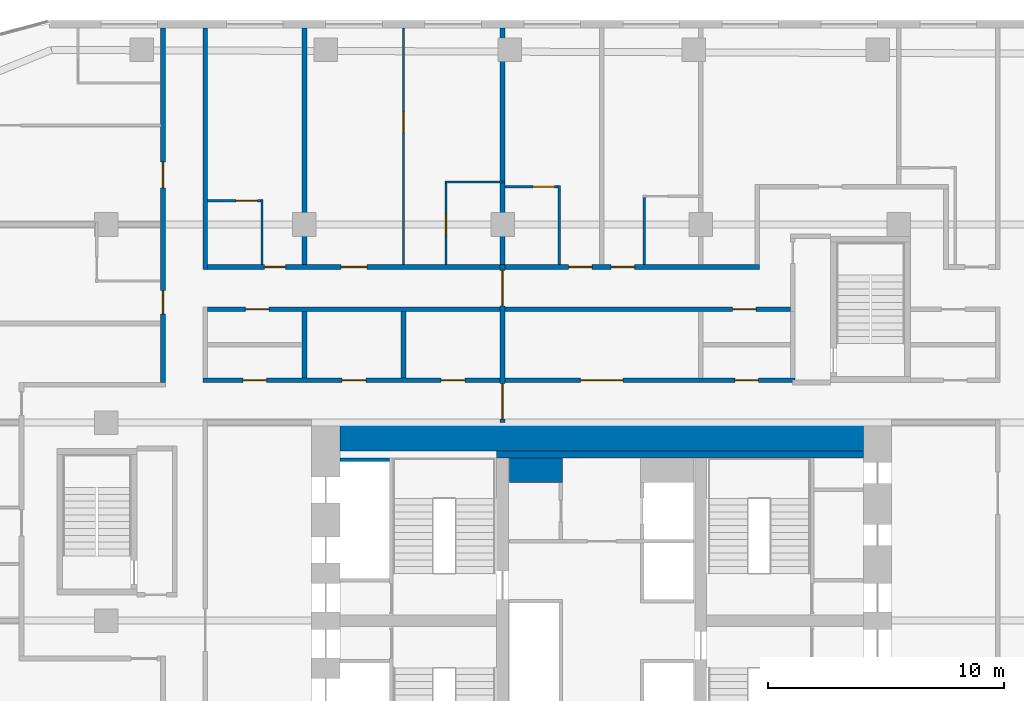
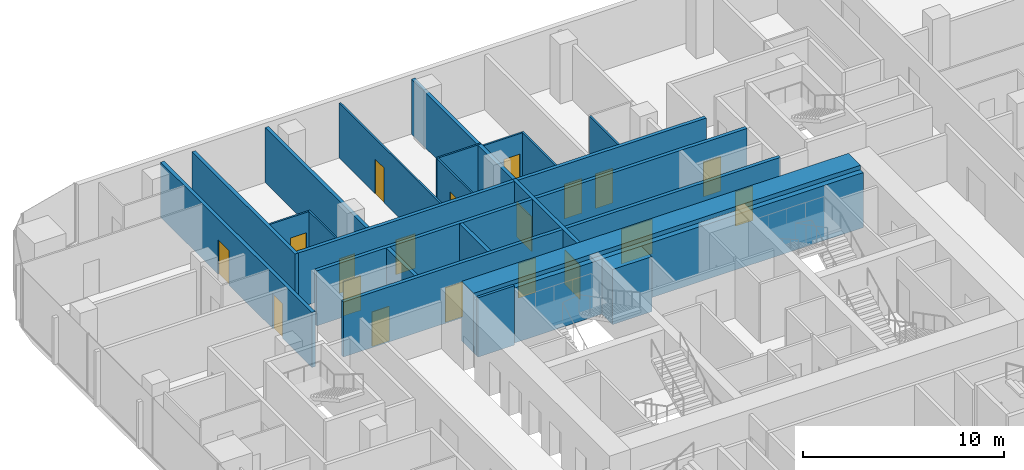
# One storey, part 21 of 26: 22 walls, 19 doors, 19 openings.
"""IFC4 building model written with IfcOpenShell, lengths in metres."""

from ifc_helpers import new_model, si_unit, direction, frame, frame_2d, origin, place, context, subcontext, project, spatial, rectangle, extrude, material, layer, layer_set, type_object, element, fill, save


model = new_model("IFC4")

# Units and contexts
model_context = context("Model", 3, precision=1e-05, world=origin(), true_north=direction((0.0, 1.0)))
body_context = subcontext(model_context, "Body", "Model", "MODEL_VIEW")
ifc_project = project(units=[si_unit("LENGTHUNIT", "METRE"), si_unit("AREAUNIT", "SQUARE_METRE"), si_unit("VOLUMEUNIT", "CUBIC_METRE"), si_unit("PLANEANGLEUNIT", "RADIAN"), si_unit("MASSUNIT", "GRAM", prefix="KILO")], contexts=[model_context])

# Site, building, storey
site_placement = place(None, origin())
site = spatial("IfcSite", under=ifc_project, at=site_placement, CompositionType="ELEMENT")
building_placement = place(site_placement, origin())
building = spatial("IfcBuilding", under=site, at=building_placement, Name="Marenta Gate Hotel Tower", CompositionType="ELEMENT")
storey_placement = place(building_placement, frame((0.0, 0.0, 72.5)))
storey = spatial("IfcBuildingStorey", under=building, at=storey_placement, Name="L16", CompositionType="ELEMENT", Elevation=72.5)

# Wall, openings, doors
ifc_material_1 = material(Name="Concrete blockwork", Category="masonry")
ifc_layer_1 = layer(ifc_material_1, 0.199951171875)
ifc_layer_set_1 = layer_set([ifc_layer_1], Name="Concrete blockwork")
wall_type_1 = type_object("IfcWallType", Name="Compartment wall 200 REI 180", PredefinedType="PARTITIONING", material=ifc_layer_set_1)
wall_1_placement = place(storey_placement, frame((-4.199951171875, 16.800048828125, 0.0), z_axis=(0.0, 0.0, 1.0), x_axis=(0.0, 1.0, 0.0)))
wall_1 = element("IfcWall", 1, at=wall_1_placement, inside=storey, type_object=wall_type_1, Name="L16-PTN-W076", PredefinedType="PARTITIONING", context=body_context, shape_type="SweptSolid", body=[
    extrude(rectangle(XDim=6.699951171875, YDim=0.199951171875, at=frame_2d((3.35009765625, 0.0))), origin(), (0.0, 0.0, 1.0), 3.340087890625),
])
opening_1_placement = place(wall_1_placement, frame((0.14990234375, 0.0, 0.0)))
opening_1 = element("IfcOpeningElement", 2, at=opening_1_placement, cuts=wall_1, Name="Opening G06-FD1", PredefinedType="OPENING", context=body_context, shape_type="SweptSolid", body=[
    extrude(rectangle(XDim=1.5, YDim=2.10009765625, at=frame_2d((0.75, 1.050048828125))), frame((0.0, 0.10009765625, 0.0), z_axis=(0.0, -1.0, 0.0), x_axis=(1.0, 0.0, 0.0)), (0.0, 0.0, 1.0), 0.199951171875),
])
opening_2_placement = place(wall_1_placement, frame((4.949951171875, 0.0, 0.0)))
opening_2 = element("IfcOpeningElement", 3, at=opening_2_placement, cuts=wall_1, Name="Opening G06-FD2", PredefinedType="OPENING", context=body_context, shape_type="SweptSolid", body=[
    extrude(rectangle(XDim=1.5, YDim=2.10009765625, at=frame_2d((0.75, 1.050048828125))), frame((0.0, 0.10009765625, 0.0), z_axis=(0.0, -1.0, 0.0), x_axis=(1.0, 0.0, 0.0)), (0.0, 0.0, 1.0), 0.199951171875),
])
ifc_material_2 = material(Name="Hollow steel door set", Category="steel")
door_type_1 = type_object("IfcDoorType", Name="Compartment fire door 1500x2100 EI 60", OperationType="DOUBLE_DOOR_DOUBLE_SWING", PredefinedType="DOOR", material=ifc_material_2)
door_1_placement = place(opening_1_placement, origin())
door_1 = element("IfcDoor", 4, at=door_1_placement, inside=storey, type_object=door_type_1, Name="L16-PD-FD01", OperationType="DOUBLE_DOOR_DOUBLE_SWING", OverallHeight=2.10009765625, OverallWidth=1.5, PredefinedType="DOOR", context=body_context, shape_type="SweptSolid", body=[
    extrude(rectangle(XDim=1.5, YDim=2.10009765625, at=frame_2d((0.75, 1.050048828125))), frame((0.0, 0.02490234375, 0.0), z_axis=(0.0, -1.0, 0.0), x_axis=(1.0, 0.0, 0.0)), (0.0, 0.0, 1.0), 0.050048828125),
])
fill(opening_1, door_1)
door_2_placement = place(opening_2_placement, origin())
door_2 = element("IfcDoor", 5, at=door_2_placement, inside=storey, type_object=door_type_1, Name="L16-PD-FD02", OperationType="DOUBLE_DOOR_DOUBLE_SWING", OverallHeight=2.10009765625, OverallWidth=1.5, PredefinedType="DOOR", context=body_context, shape_type="SweptSolid", body=[
    extrude(rectangle(XDim=1.5, YDim=2.10009765625, at=frame_2d((0.75, 1.050048828125))), frame((0.0, 0.02490234375, 0.0), z_axis=(0.0, -1.0, 0.0), x_axis=(1.0, 0.0, 0.0)), (0.0, 0.0, 1.0), 0.050048828125),
])
fill(opening_2, door_2)

# Walls
wall_2_placement = place(storey_placement, frame((-4.199951171875, 23.5, 0.0), z_axis=(0.0, 0.0, 1.0), x_axis=(0.0, 1.0, 0.0)))
element("IfcWall", 6, at=wall_2_placement, inside=storey, type_object=wall_type_1, Name="L16-PTN-W077", PredefinedType="PARTITIONING", context=body_context, shape_type="SweptSolid", body=[
    extrude(rectangle(XDim=10.0400390625, YDim=0.199951171875, at=frame_2d((5.02001953125, 0.0))), origin(), (0.0, 0.0, 1.0), 3.340087890625),
])
ifc_material_3 = material(Name="Concrete C40", Category="concrete")
ifc_layer_2 = layer(ifc_material_3, 0.300048828125)
ifc_layer_set_2 = layer_set([ifc_layer_2], Name="Concrete C40")
wall_type_2 = type_object("IfcWallType", Name="Core lining wall 300 REI 180", PredefinedType="PARTITIONING", material=ifc_layer_set_2)
wall_3_placement = place(storey_placement, frame((-11.10009765625, 15.449951171875, 0.0), z_axis=(0.0, 0.0, 1.0), x_axis=(1.0, 0.0, 0.0)))
element("IfcWall", 7, at=wall_3_placement, inside=storey, type_object=wall_type_2, Name="L16-CP-LN-N", PredefinedType="PARTITIONING", context=body_context, shape_type="SweptSolid", body=[
    extrude(rectangle(XDim=22.2001953125, YDim=0.300048828125, at=frame_2d((11.10009765625, 0.0))), origin(), (0.0, 0.0, 1.0), 3.340087890625),
])
ifc_material_4 = material(Name="Concrete blockwork", Category="masonry")
ifc_layer_3 = layer(ifc_material_4, 1.050048828125)
ifc_layer_set_3 = layer_set([ifc_layer_3], Name="Concrete blockwork")
wall_type_3 = type_object("IfcWallType", Name="Core room partition 1050 REI 180", PredefinedType="PARTITIONING", material=ifc_layer_set_3)
wall_4_placement = place(storey_placement, frame((-3.89990234375, 14.77490234375, 0.0), z_axis=(0.0, 0.0, 1.0), x_axis=(1.0, 0.0, 0.0)))
element("IfcWall", 8, at=wall_4_placement, inside=storey, type_object=wall_type_3, Name="L16-CP-CW-W-riser-N", PredefinedType="PARTITIONING", context=body_context, shape_type="SweptSolid", body=[
    extrude(rectangle(XDim=2.25, YDim=1.050048828125, at=frame_2d((1.125, 0.0))), origin(), (0.0, 0.0, 1.0), 3.340087890625),
])
ifc_material_5 = material(Name="Concrete C40", Category="concrete")
ifc_layer_4 = layer(ifc_material_5, 0.14990234375)
ifc_layer_set_4 = layer_set([ifc_layer_4], Name="Concrete C40")
wall_type_4 = type_object("IfcWallType", Name="Core shaft wall 150 REI 180", PredefinedType="SHEAR", material=ifc_layer_set_4)
wall_5_placement = place(storey_placement, frame((-11.10009765625, 15.22509765625, 0.0), z_axis=(0.0, 0.0, 1.0), x_axis=(1.0, 0.0, 0.0)))
element("IfcWall", 9, at=wall_5_placement, inside=storey, type_object=wall_type_4, Name="L16-SHF-SW-WN-5", PredefinedType="SHEAR", context=body_context, shape_type="SweptSolid", body=[
    extrude(rectangle(XDim=2.10009765625, YDim=0.14990234375, at=frame_2d((1.050048828125, 0.0))), origin(), (0.0, 0.0, 1.0), 3.60009765625),
])
ifc_material_6 = material(Name="Concrete C80", Category="concrete")
ifc_layer_5 = layer(ifc_material_6, 1.199951171875)
ifc_layer_set_5 = layer_set([ifc_layer_5], Name="Concrete C80")
wall_type_5 = type_object("IfcWallType", Name="Core wall 1200 C80", PredefinedType="SHEAR", material=ifc_layer_set_5)
wall_6_placement = place(storey_placement, frame((-11.10009765625, 16.199951171875, 0.0), z_axis=(0.0, 0.0, 1.0), x_axis=(1.0, 0.0, 0.0)))
element("IfcWall", 10, at=wall_6_placement, inside=storey, type_object=wall_type_5, Name="L16-CORE-N", PredefinedType="SHEAR", context=body_context, shape_type="SweptSolid", body=[
    extrude(rectangle(XDim=22.2001953125, YDim=1.199951171875, at=frame_2d((11.10009765625, 0.0))), origin(), (0.0, 0.0, 1.0), 3.60009765625),
])

# Wall, openings, doors
ifc_material_7 = material(Name="Concrete blockwork", Category="masonry")
ifc_layer_6 = layer(ifc_material_7, 0.199951171875)
ifc_layer_set_6 = layer_set([ifc_layer_6], Name="Concrete blockwork")
wall_type_6 = type_object("IfcWallType", Name="Room corridor wall 200 EI 120", PredefinedType="PARTITIONING", material=ifc_layer_set_6)
wall_7_placement = place(storey_placement, frame((-16.699951171875, 23.39990234375, 0.0), z_axis=(0.0, 0.0, 1.0), x_axis=(1.0, 0.0, 0.0)))
wall_7 = element("IfcWall", 11, at=wall_7_placement, inside=storey, type_object=wall_type_6, Name="L16-PTN-W132", PredefinedType="PARTITIONING", context=body_context, shape_type="SweptSolid", body=[
    extrude(rectangle(XDim=23.39990234375, YDim=0.199951171875, at=frame_2d((11.699951171875, 0.0))), origin(), (0.0, 0.0, 1.0), 3.340087890625),
])
opening_3_placement = place(wall_7_placement, frame((2.39990234375, 0.0, 0.0)))
opening_3 = element("IfcOpeningElement", 12, at=opening_3_placement, cuts=wall_7, Name="Opening G06-21", PredefinedType="OPENING", context=body_context, shape_type="SweptSolid", body=[
    extrude(rectangle(XDim=0.89990234375, YDim=2.10009765625, at=frame_2d((0.449951171875, 1.050048828125))), frame((0.0, 0.10009765625, 0.0), z_axis=(0.0, -1.0, 0.0), x_axis=(1.0, 0.0, 0.0)), (0.0, 0.0, 1.0), 0.199951171875),
])
opening_4_placement = place(wall_7_placement, frame((5.64990234375, 0.0, 0.0)))
opening_4 = element("IfcOpeningElement", 13, at=opening_4_placement, cuts=wall_7, Name="Opening G06-23", PredefinedType="OPENING", context=body_context, shape_type="SweptSolid", body=[
    extrude(rectangle(XDim=1.10009765625, YDim=2.10009765625, at=frame_2d((0.550048828125, 1.050048828125))), frame((0.0, 0.10009765625, 0.0), z_axis=(0.0, -1.0, 0.0), x_axis=(1.0, 0.0, 0.0)), (0.0, 0.0, 1.0), 0.199951171875),
])
opening_5_placement = place(wall_7_placement, frame((15.300048828125, 0.0, 0.0)))
opening_5 = element("IfcOpeningElement", 14, at=opening_5_placement, cuts=wall_7, Name="Opening G06-26", PredefinedType="OPENING", context=body_context, shape_type="SweptSolid", body=[
    extrude(rectangle(XDim=1.0, YDim=2.10009765625, at=frame_2d((0.5, 1.050048828125))), frame((0.0, 0.10009765625, 0.0), z_axis=(0.0, -1.0, 0.0), x_axis=(1.0, 0.0, 0.0)), (0.0, 0.0, 1.0), 0.199951171875),
])
opening_6_placement = place(wall_7_placement, frame((17.10009765625, 0.0, 0.0)))
opening_6 = element("IfcOpeningElement", 15, at=opening_6_placement, cuts=wall_7, Name="Opening G06-28", PredefinedType="OPENING", context=body_context, shape_type="SweptSolid", body=[
    extrude(rectangle(XDim=1.0, YDim=2.10009765625, at=frame_2d((0.5, 1.050048828125))), frame((0.0, 0.10009765625, 0.0), z_axis=(0.0, -1.0, 0.0), x_axis=(1.0, 0.0, 0.0)), (0.0, 0.0, 1.0), 0.199951171875),
])
ifc_material_8 = material(Name="Timber door leaf", Category="wood")
door_type_2 = type_object("IfcDoorType", Name="Guest room door 1000x2100 EI 60", OperationType="NOTDEFINED", PredefinedType="DOOR", material=ifc_material_8)
door_3_placement = place(opening_5_placement, origin())
door_3 = element("IfcDoor", 16, at=door_3_placement, inside=storey, type_object=door_type_2, Name="L16-PD-D026", OperationType="SINGLE_SWING_LEFT", OverallHeight=2.10009765625, OverallWidth=1.0, PredefinedType="DOOR", context=body_context, shape_type="SweptSolid", body=[
    extrude(rectangle(XDim=1.0, YDim=2.10009765625, at=frame_2d((0.5, 1.050048828125))), frame((0.0, 0.02490234375, 0.0), z_axis=(0.0, -1.0, 0.0), x_axis=(1.0, 0.0, 0.0)), (0.0, 0.0, 1.0), 0.050048828125),
])
fill(opening_5, door_3)
door_4_placement = place(opening_6_placement, origin())
door_4 = element("IfcDoor", 17, at=door_4_placement, inside=storey, type_object=door_type_2, Name="L16-PD-D028", OperationType="SINGLE_SWING_LEFT", OverallHeight=2.10009765625, OverallWidth=1.0, PredefinedType="DOOR", context=body_context, shape_type="SweptSolid", body=[
    extrude(rectangle(XDim=1.0, YDim=2.10009765625, at=frame_2d((0.5, 1.050048828125))), frame((0.0, 0.02490234375, 0.0), z_axis=(0.0, -1.0, 0.0), x_axis=(1.0, 0.0, 0.0)), (0.0, 0.0, 1.0), 0.050048828125),
])
fill(opening_6, door_4)
ifc_material_9 = material(Name="Timber door leaf", Category="wood")
door_type_3 = type_object("IfcDoorType", Name="Guest room door 1100x2100 EI 60", OperationType="NOTDEFINED", PredefinedType="DOOR", material=ifc_material_9)
door_5_placement = place(opening_4_placement, origin())
door_5 = element("IfcDoor", 18, at=door_5_placement, inside=storey, type_object=door_type_3, Name="L16-PD-D023", OperationType="SINGLE_SWING_RIGHT", OverallHeight=2.10009765625, OverallWidth=1.10009765625, PredefinedType="DOOR", context=body_context, shape_type="SweptSolid", body=[
    extrude(rectangle(XDim=1.10009765625, YDim=2.10009765625, at=frame_2d((0.550048828125, 1.050048828125))), frame((0.0, 0.02490234375, 0.0), z_axis=(0.0, -1.0, 0.0), x_axis=(1.0, 0.0, 0.0)), (0.0, 0.0, 1.0), 0.050048828125),
])
fill(opening_4, door_5)
ifc_material_10 = material(Name="Timber door leaf", Category="wood")
door_type_4 = type_object("IfcDoorType", Name="Guest room door 900x2100 EI 60", OperationType="NOTDEFINED", PredefinedType="DOOR", material=ifc_material_10)
door_6_placement = place(opening_3_placement, origin())
door_6 = element("IfcDoor", 19, at=door_6_placement, inside=storey, type_object=door_type_4, Name="L16-PD-D021", OperationType="SINGLE_SWING_LEFT", OverallHeight=2.10009765625, OverallWidth=0.89990234375, PredefinedType="DOOR", context=body_context, shape_type="SweptSolid", body=[
    extrude(rectangle(XDim=0.89990234375, YDim=2.10009765625, at=frame_2d((0.449951171875, 1.050048828125))), frame((0.0, 0.02490234375, 0.0), z_axis=(0.0, -1.0, 0.0), x_axis=(1.0, 0.0, 0.0)), (0.0, 0.0, 1.0), 0.050048828125),
])
fill(opening_3, door_6)

# Wall
ifc_material_11 = material(Name="Gypsum board on steel stud", Category="steel")
ifc_layer_7 = layer(ifc_material_11, 0.199951171875)
ifc_layer_set_7 = layer_set([ifc_layer_7], Name="Gypsum board on steel stud")
wall_type_7 = type_object("IfcWallType", Name="Room corridor wall 200 EI 60", PredefinedType="PARTITIONING", material=ifc_layer_set_7)
wall_8_placement = place(storey_placement, frame((-16.800048828125, 23.300048828125, 0.0), z_axis=(0.0, 0.0, 1.0), x_axis=(0.0, 1.0, 0.0)))
element("IfcWall", 20, at=wall_8_placement, inside=storey, type_object=wall_type_7, Name="L16-PTN-W106", PredefinedType="PARTITIONING", context=body_context, shape_type="SweptSolid", body=[
    extrude(rectangle(XDim=10.239990234375, YDim=0.199951171875, at=frame_2d((5.1201171875, 0.0))), origin(), (0.0, 0.0, 1.0), 3.340087890625),
])

# Wall, openings, doors
wall_9_placement = place(storey_placement, frame((-18.60009765625, 18.5, 0.0), z_axis=(0.0, 0.0, 1.0), x_axis=(0.0, 1.0, 0.0)))
wall_9 = element("IfcWall", 21, at=wall_9_placement, inside=storey, type_object=wall_type_7, Name="L16-PTN-W113", PredefinedType="PARTITIONING", context=body_context, shape_type="SweptSolid", body=[
    extrude(rectangle(XDim=15.0400390625, YDim=0.199951171875, at=frame_2d((7.52001953125, 0.0))), origin(), (0.0, 0.0, 1.0), 3.340087890625),
])
opening_7_placement = place(wall_9_placement, frame((2.89990234375, 0.0, 0.0)))
opening_7 = element("IfcOpeningElement", 22, at=opening_7_placement, cuts=wall_9, Name="Opening G06-56", PredefinedType="OPENING", context=body_context, shape_type="SweptSolid", body=[
    extrude(rectangle(XDim=1.0, YDim=2.10009765625, at=frame_2d((0.5, 1.050048828125))), frame((0.0, 0.10009765625, 0.0), z_axis=(0.0, -1.0, 0.0), x_axis=(1.0, 0.0, 0.0)), (0.0, 0.0, 1.0), 0.199951171875),
])
opening_8_placement = place(wall_9_placement, frame((8.25, 0.0, 0.0)))
opening_8 = element("IfcOpeningElement", 23, at=opening_8_placement, cuts=wall_9, Name="Opening G06-58", PredefinedType="OPENING", context=body_context, shape_type="SweptSolid", body=[
    extrude(rectangle(XDim=1.10009765625, YDim=2.10009765625, at=frame_2d((0.550048828125, 1.050048828125))), frame((0.0, 0.10009765625, 0.0), z_axis=(0.0, -1.0, 0.0), x_axis=(1.0, 0.0, 0.0)), (0.0, 0.0, 1.0), 0.199951171875),
])
ifc_material_12 = material(Name="Timber door leaf", Category="wood")
door_type_5 = type_object("IfcDoorType", Name="Guest room door 1000x2100 EI 30", OperationType="NOTDEFINED", PredefinedType="DOOR", material=ifc_material_12)
door_7_placement = place(opening_7_placement, origin())
door_7 = element("IfcDoor", 24, at=door_7_placement, inside=storey, type_object=door_type_5, Name="L16-PD-D056", OperationType="SINGLE_SWING_LEFT", OverallHeight=2.10009765625, OverallWidth=1.0, PredefinedType="DOOR", context=body_context, shape_type="SweptSolid", body=[
    extrude(rectangle(XDim=1.0, YDim=2.10009765625, at=frame_2d((0.5, 1.050048828125))), frame((0.0, 0.02490234375, 0.0), z_axis=(0.0, -1.0, 0.0), x_axis=(1.0, 0.0, 0.0)), (0.0, 0.0, 1.0), 0.050048828125),
])
fill(opening_7, door_7)
ifc_material_13 = material(Name="Timber door leaf", Category="wood")
door_type_6 = type_object("IfcDoorType", Name="Guest room door 1100x2100 EI 30", OperationType="NOTDEFINED", PredefinedType="DOOR", material=ifc_material_13)
door_8_placement = place(opening_8_placement, origin())
door_8 = element("IfcDoor", 25, at=door_8_placement, inside=storey, type_object=door_type_6, Name="L16-PD-D058", OperationType="SINGLE_SWING_LEFT", OverallHeight=2.10009765625, OverallWidth=1.10009765625, PredefinedType="DOOR", context=body_context, shape_type="SweptSolid", body=[
    extrude(rectangle(XDim=1.10009765625, YDim=2.10009765625, at=frame_2d((0.550048828125, 1.050048828125))), frame((0.0, 0.02490234375, 0.0), z_axis=(0.0, -1.0, 0.0), x_axis=(1.0, 0.0, 0.0)), (0.0, 0.0, 1.0), 0.050048828125),
])
fill(opening_8, door_8)

wall_10_placement = place(storey_placement, frame((-16.89990234375, 18.60009765625, 0.0), z_axis=(0.0, 0.0, 1.0), x_axis=(1.0, 0.0, 0.0)))
wall_10 = element("IfcWall", 26, at=wall_10_placement, inside=storey, type_object=wall_type_7, Name="L16-PTN-W114", PredefinedType="PARTITIONING", context=body_context, shape_type="SweptSolid", body=[
    extrude(rectangle(XDim=25.099853515625, YDim=0.199951171875, at=frame_2d((12.5498046875, 0.0))), origin(), (0.0, 0.0, 1.0), 3.340087890625),
])
opening_9_placement = place(wall_10_placement, frame((16.0, 0.0, 0.0)))
opening_9 = element("IfcOpeningElement", 27, at=opening_9_placement, cuts=wall_10, Name="Opening G06-01", PredefinedType="OPENING", context=body_context, shape_type="SweptSolid", body=[
    extrude(rectangle(XDim=1.800048828125, YDim=2.10009765625, at=frame_2d((0.89990234375, 1.050048828125))), frame((0.0, 0.10009765625, 0.0), z_axis=(0.0, -1.0, 0.0), x_axis=(1.0, 0.0, 0.0)), (0.0, 0.0, 1.0), 0.199951171875),
])
opening_10_placement = place(wall_10_placement, frame((5.89990234375, 0.0, 0.0)))
opening_10 = element("IfcOpeningElement", 28, at=opening_10_placement, cuts=wall_10, Name="Opening G06-68", PredefinedType="OPENING", context=body_context, shape_type="SweptSolid", body=[
    extrude(rectangle(XDim=1.0, YDim=2.10009765625, at=frame_2d((0.5, 1.050048828125))), frame((0.0, 0.10009765625, 0.0), z_axis=(0.0, -1.0, 0.0), x_axis=(1.0, 0.0, 0.0)), (0.0, 0.0, 1.0), 0.199951171875),
])
opening_11_placement = place(wall_10_placement, frame((10.10009765625, 0.0, 0.0)))
opening_11 = element("IfcOpeningElement", 29, at=opening_11_placement, cuts=wall_10, Name="Opening G06-69", PredefinedType="OPENING", context=body_context, shape_type="SweptSolid", body=[
    extrude(rectangle(XDim=1.0, YDim=2.10009765625, at=frame_2d((0.5, 1.050048828125))), frame((0.0, 0.10009765625, 0.0), z_axis=(0.0, -1.0, 0.0), x_axis=(1.0, 0.0, 0.0)), (0.0, 0.0, 1.0), 0.199951171875),
])
opening_12_placement = place(wall_10_placement, frame((1.699951171875, 0.0, 0.0)))
opening_12 = element("IfcOpeningElement", 30, at=opening_12_placement, cuts=wall_10, Name="Opening G06-70", PredefinedType="OPENING", context=body_context, shape_type="SweptSolid", body=[
    extrude(rectangle(XDim=1.0, YDim=2.10009765625, at=frame_2d((0.5, 1.050048828125))), frame((0.0, 0.10009765625, 0.0), z_axis=(0.0, -1.0, 0.0), x_axis=(1.0, 0.0, 0.0)), (0.0, 0.0, 1.0), 0.199951171875),
])
opening_13_placement = place(wall_10_placement, frame((22.550048828125, 0.0, 0.0)))
opening_13 = element("IfcOpeningElement", 31, at=opening_13_placement, cuts=wall_10, Name="Opening G06-72", PredefinedType="OPENING", context=body_context, shape_type="SweptSolid", body=[
    extrude(rectangle(XDim=1.0, YDim=2.10009765625, at=frame_2d((0.5, 1.050048828125))), frame((0.0, 0.10009765625, 0.0), z_axis=(0.0, -1.0, 0.0), x_axis=(1.0, 0.0, 0.0)), (0.0, 0.0, 1.0), 0.199951171875),
])
ifc_material_14 = material(Name="Timber door leaf", Category="wood")
door_type_7 = type_object("IfcDoorType", Name="Room amenity door 1000x2100 EI 30", OperationType="NOTDEFINED", PredefinedType="DOOR", material=ifc_material_14)
door_9_placement = place(opening_10_placement, origin())
door_9 = element("IfcDoor", 32, at=door_9_placement, inside=storey, type_object=door_type_7, Name="L16-PD-D068", OperationType="SINGLE_SWING_RIGHT", OverallHeight=2.10009765625, OverallWidth=1.0, PredefinedType="DOOR", context=body_context, shape_type="SweptSolid", body=[
    extrude(rectangle(XDim=1.0, YDim=2.10009765625, at=frame_2d((0.5, 1.050048828125))), frame((0.0, 0.02490234375, 0.0), z_axis=(0.0, -1.0, 0.0), x_axis=(1.0, 0.0, 0.0)), (0.0, 0.0, 1.0), 0.050048828125),
])
fill(opening_10, door_9)
door_10_placement = place(opening_11_placement, origin())
door_10 = element("IfcDoor", 33, at=door_10_placement, inside=storey, type_object=door_type_7, Name="L16-PD-D069", OperationType="SINGLE_SWING_LEFT", OverallHeight=2.10009765625, OverallWidth=1.0, PredefinedType="DOOR", context=body_context, shape_type="SweptSolid", body=[
    extrude(rectangle(XDim=1.0, YDim=2.10009765625, at=frame_2d((0.5, 1.050048828125))), frame((0.0, 0.02490234375, 0.0), z_axis=(0.0, -1.0, 0.0), x_axis=(1.0, 0.0, 0.0)), (0.0, 0.0, 1.0), 0.050048828125),
])
fill(opening_11, door_10)
door_11_placement = place(opening_12_placement, origin())
door_11 = element("IfcDoor", 34, at=door_11_placement, inside=storey, type_object=door_type_7, Name="L16-PD-D070", OperationType="SINGLE_SWING_RIGHT", OverallHeight=2.10009765625, OverallWidth=1.0, PredefinedType="DOOR", context=body_context, shape_type="SweptSolid", body=[
    extrude(rectangle(XDim=1.0, YDim=2.10009765625, at=frame_2d((0.5, 1.050048828125))), frame((0.0, 0.02490234375, 0.0), z_axis=(0.0, -1.0, 0.0), x_axis=(1.0, 0.0, 0.0)), (0.0, 0.0, 1.0), 0.050048828125),
])
fill(opening_12, door_11)
door_12_placement = place(opening_13_placement, origin())
door_12 = element("IfcDoor", 35, at=door_12_placement, inside=storey, type_object=door_type_7, Name="L16-PD-D072", OperationType="SINGLE_SWING_RIGHT", OverallHeight=2.10009765625, OverallWidth=1.0, PredefinedType="DOOR", context=body_context, shape_type="SweptSolid", body=[
    extrude(rectangle(XDim=1.0, YDim=2.10009765625, at=frame_2d((0.5, 1.050048828125))), frame((0.0, 0.02490234375, 0.0), z_axis=(0.0, -1.0, 0.0), x_axis=(1.0, 0.0, 0.0)), (0.0, 0.0, 1.0), 0.050048828125),
])
fill(opening_13, door_12)
ifc_material_15 = material(Name="Timber door leaf", Category="wood")
door_type_8 = type_object("IfcDoorType", Name="Room amenity door 1800x2100 EI 30", OperationType="DOUBLE_DOOR_SINGLE_SWING", PredefinedType="DOOR", material=ifc_material_15)
door_13_placement = place(opening_9_placement, origin())
door_13 = element("IfcDoor", 36, at=door_13_placement, inside=storey, type_object=door_type_8, Name="L16-PD-D001", OperationType="DOUBLE_DOOR_SINGLE_SWING", OverallHeight=2.10009765625, OverallWidth=1.800048828125, PredefinedType="DOOR", context=body_context, shape_type="SweptSolid", body=[
    extrude(rectangle(XDim=1.800048828125, YDim=2.10009765625, at=frame_2d((0.89990234375, 1.050048828125))), frame((0.0, 0.02490234375, 0.0), z_axis=(0.0, -1.0, 0.0), x_axis=(1.0, 0.0, 0.0)), (0.0, 0.0, 1.0), 0.050048828125),
])
fill(opening_9, door_13)

wall_11_placement = place(storey_placement, frame((-16.699951171875, 21.60009765625, 0.0), z_axis=(0.0, 0.0, 1.0), x_axis=(1.0, 0.0, 0.0)))
wall_11 = element("IfcWall", 37, at=wall_11_placement, inside=storey, type_object=wall_type_7, Name="L16-PTN-W125", PredefinedType="PARTITIONING", context=body_context, shape_type="SweptSolid", body=[
    extrude(rectangle(XDim=24.699951171875, YDim=0.199951171875, at=frame_2d((12.35009765625, 0.0))), origin(), (0.0, 0.0, 1.0), 3.340087890625),
])
opening_14_placement = place(wall_11_placement, frame((1.60009765625, 0.0, 0.0)))
opening_14 = element("IfcOpeningElement", 38, at=opening_14_placement, cuts=wall_11, Name="Opening G06-71", PredefinedType="OPENING", context=body_context, shape_type="SweptSolid", body=[
    extrude(rectangle(XDim=1.0, YDim=2.10009765625, at=frame_2d((0.5, 1.050048828125))), frame((0.0, 0.10009765625, 0.0), z_axis=(0.0, -1.0, 0.0), x_axis=(1.0, 0.0, 0.0)), (0.0, 0.0, 1.0), 0.199951171875),
])
opening_15_placement = place(wall_11_placement, frame((22.25, 0.0, 0.0)))
opening_15 = element("IfcOpeningElement", 39, at=opening_15_placement, cuts=wall_11, Name="Opening G06-73", PredefinedType="OPENING", context=body_context, shape_type="SweptSolid", body=[
    extrude(rectangle(XDim=1.0, YDim=2.10009765625, at=frame_2d((0.5, 1.050048828125))), frame((0.0, 0.10009765625, 0.0), z_axis=(0.0, -1.0, 0.0), x_axis=(1.0, 0.0, 0.0)), (0.0, 0.0, 1.0), 0.199951171875),
])
door_14_placement = place(opening_14_placement, origin())
door_14 = element("IfcDoor", 40, at=door_14_placement, inside=storey, type_object=door_type_7, Name="L16-PD-D071", OperationType="SINGLE_SWING_RIGHT", OverallHeight=2.10009765625, OverallWidth=1.0, PredefinedType="DOOR", context=body_context, shape_type="SweptSolid", body=[
    extrude(rectangle(XDim=1.0, YDim=2.10009765625, at=frame_2d((0.5, 1.050048828125))), frame((0.0, 0.02490234375, 0.0), z_axis=(0.0, -1.0, 0.0), x_axis=(1.0, 0.0, 0.0)), (0.0, 0.0, 1.0), 0.050048828125),
])
fill(opening_14, door_14)
door_15_placement = place(opening_15_placement, origin())
door_15 = element("IfcDoor", 41, at=door_15_placement, inside=storey, type_object=door_type_7, Name="L16-PD-D073", OperationType="SINGLE_SWING_LEFT", OverallHeight=2.10009765625, OverallWidth=1.0, PredefinedType="DOOR", context=body_context, shape_type="SweptSolid", body=[
    extrude(rectangle(XDim=1.0, YDim=2.10009765625, at=frame_2d((0.5, 1.050048828125))), frame((0.0, 0.02490234375, 0.0), z_axis=(0.0, -1.0, 0.0), x_axis=(1.0, 0.0, 0.0)), (0.0, 0.0, 1.0), 0.050048828125),
])
fill(opening_15, door_15)

# Walls
ifc_material_16 = material(Name="Gypsum board on steel stud", Category="steel")
ifc_layer_8 = layer(ifc_material_16, 0.10009765625)
ifc_layer_set_8 = layer_set([ifc_layer_8], Name="Gypsum board on steel stud")
wall_type_8 = type_object("IfcWallType", Name="Room partition 100", PredefinedType="PARTITIONING", material=ifc_layer_set_8)
wall_12_placement = place(storey_placement, frame((1.800048828125, 23.5, 0.0), z_axis=(0.0, 0.0, 1.0), x_axis=(0.0, 1.0, 0.0)))
element("IfcWall", 42, at=wall_12_placement, inside=storey, type_object=wall_type_8, Name="L16-PTN-W062", PredefinedType="PARTITIONING", context=body_context, shape_type="SweptSolid", body=[
    extrude(rectangle(XDim=2.85009765625, YDim=0.10009765625, at=frame_2d((1.425048828125, 0.0))), origin(), (0.0, 0.0, 1.0), 3.340087890625),
])
wall_13_placement = place(storey_placement, frame((-1.800048828125, 23.5, 0.0), z_axis=(0.0, 0.0, 1.0), x_axis=(0.0, 1.0, 0.0)))
element("IfcWall", 43, at=wall_13_placement, inside=storey, type_object=wall_type_8, Name="L16-PTN-W073", PredefinedType="PARTITIONING", context=body_context, shape_type="SweptSolid", body=[
    extrude(rectangle(XDim=3.35009765625, YDim=0.10009765625, at=frame_2d((1.675048828125, 0.0))), origin(), (0.0, 0.0, 1.0), 3.340087890625),
])

# Wall, opening, door
wall_14_placement = place(storey_placement, frame((-6.60009765625, 23.5, 0.0), z_axis=(0.0, 0.0, 1.0), x_axis=(0.0, 1.0, 0.0)))
wall_14 = element("IfcWall", 44, at=wall_14_placement, inside=storey, type_object=wall_type_8, Name="L16-PTN-W082", PredefinedType="PARTITIONING", context=body_context, shape_type="SweptSolid", body=[
    extrude(rectangle(XDim=3.449951171875, YDim=0.10009765625, at=frame_2d((1.72509765625, 0.0))), origin(), (0.0, 0.0, 1.0), 3.340087890625),
])
opening_16_placement = place(wall_14_placement, frame((1.25, 0.0, 0.0)))
opening_16 = element("IfcOpeningElement", 45, at=opening_16_placement, cuts=wall_14, Name="Opening G06-25", PredefinedType="OPENING", context=body_context, shape_type="SweptSolid", body=[
    extrude(rectangle(XDim=0.89990234375, YDim=2.10009765625, at=frame_2d((0.449951171875, 1.050048828125))), frame((0.0, 0.050048828125, 0.0), z_axis=(0.0, -1.0, 0.0), x_axis=(1.0, 0.0, 0.0)), (0.0, 0.0, 1.0), 0.10009765625),
])
ifc_material_17 = material(Name="Timber door leaf", Category="wood")
door_type_9 = type_object("IfcDoorType", Name="Guest bathroom door 900x2100", OperationType="NOTDEFINED", PredefinedType="DOOR", material=ifc_material_17)
door_16_placement = place(opening_16_placement, origin())
door_16 = element("IfcDoor", 46, at=door_16_placement, inside=storey, type_object=door_type_9, Name="L16-PD-D025", OperationType="SINGLE_SWING_RIGHT", OverallHeight=2.10009765625, OverallWidth=0.89990234375, PredefinedType="DOOR", context=body_context, shape_type="SweptSolid", body=[
    extrude(rectangle(XDim=0.89990234375, YDim=2.10009765625, at=frame_2d((0.449951171875, 1.050048828125))), frame((0.0, 0.02490234375, 0.0), z_axis=(0.0, -1.0, 0.0), x_axis=(1.0, 0.0, 0.0)), (0.0, 0.0, 1.0), 0.050048828125),
])
fill(opening_16, door_16)

wall_15_placement = place(storey_placement, frame((-8.39990234375, 23.5, 0.0), z_axis=(0.0, 0.0, 1.0), x_axis=(0.0, 1.0, 0.0)))
wall_15 = element("IfcWall", 47, at=wall_15_placement, inside=storey, type_object=wall_type_8, Name="L16-PTN-W085", PredefinedType="PARTITIONING", context=body_context, shape_type="SweptSolid", body=[
    extrude(rectangle(XDim=10.0400390625, YDim=0.10009765625, at=frame_2d((5.02001953125, 0.0))), origin(), (0.0, 0.0, 1.0), 3.340087890625),
])
opening_17_placement = place(wall_15_placement, frame((5.570068359375, 0.0, 0.0)))
opening_17 = element("IfcOpeningElement", 48, at=opening_17_placement, cuts=wall_15, Name="Opening G06-24", PredefinedType="OPENING", context=body_context, shape_type="SweptSolid", body=[
    extrude(rectangle(XDim=0.89990234375, YDim=2.10009765625, at=frame_2d((0.449951171875, 1.050048828125))), frame((0.0, 0.050048828125, 0.0), z_axis=(0.0, -1.0, 0.0), x_axis=(1.0, 0.0, 0.0)), (0.0, 0.0, 1.0), 0.10009765625),
])
ifc_material_18 = material(Name="Timber door leaf", Category="wood")
door_type_10 = type_object("IfcDoorType", Name="Room inner door 900x2100", OperationType="NOTDEFINED", PredefinedType="DOOR", material=ifc_material_18)
door_17_placement = place(opening_17_placement, origin())
door_17 = element("IfcDoor", 49, at=door_17_placement, inside=storey, type_object=door_type_10, Name="L16-PD-D024", OperationType="SINGLE_SWING_RIGHT", OverallHeight=2.10009765625, OverallWidth=0.89990234375, PredefinedType="DOOR", context=body_context, shape_type="SweptSolid", body=[
    extrude(rectangle(XDim=0.89990234375, YDim=2.10009765625, at=frame_2d((0.449951171875, 1.050048828125))), frame((0.0, 0.02490234375, 0.0), z_axis=(0.0, -1.0, 0.0), x_axis=(1.0, 0.0, 0.0)), (0.0, 0.0, 1.0), 0.050048828125),
])
fill(opening_17, door_17)

# Wall
wall_16_placement = place(storey_placement, frame((-14.39990234375, 23.5, 0.0), z_axis=(0.0, 0.0, 1.0), x_axis=(0.0, 1.0, 0.0)))
element("IfcWall", 50, at=wall_16_placement, inside=storey, type_object=wall_type_8, Name="L16-PTN-W099", PredefinedType="PARTITIONING", context=body_context, shape_type="SweptSolid", body=[
    extrude(rectangle(XDim=2.75, YDim=0.10009765625, at=frame_2d((1.375, 0.0))), origin(), (0.0, 0.0, 1.0), 3.340087890625),
])

# Wall, opening, door
wall_17_placement = place(storey_placement, frame((-16.699951171875, 26.199951171875, 0.0), z_axis=(0.0, 0.0, 1.0), x_axis=(1.0, 0.0, 0.0)))
wall_17 = element("IfcWall", 51, at=wall_17_placement, inside=storey, type_object=wall_type_8, Name="L16-PTN-W138", PredefinedType="PARTITIONING", context=body_context, shape_type="SweptSolid", body=[
    extrude(rectangle(XDim=2.25, YDim=0.10009765625, at=frame_2d((1.125, 0.0))), origin(), (0.0, 0.0, 1.0), 3.340087890625),
])
opening_18_placement = place(wall_17_placement, frame((1.199951171875, 0.0, 0.0)))
opening_18 = element("IfcOpeningElement", 52, at=opening_18_placement, cuts=wall_17, Name="Opening G06-22", PredefinedType="OPENING", context=body_context, shape_type="SweptSolid", body=[
    extrude(rectangle(XDim=0.89990234375, YDim=2.10009765625, at=frame_2d((0.449951171875, 1.050048828125))), frame((0.0, 0.050048828125, 0.0), z_axis=(0.0, -1.0, 0.0), x_axis=(1.0, 0.0, 0.0)), (0.0, 0.0, 1.0), 0.10009765625),
])
door_18_placement = place(opening_18_placement, origin())
door_18 = element("IfcDoor", 53, at=door_18_placement, inside=storey, type_object=door_type_9, Name="L16-PD-D022", OperationType="SINGLE_SWING_LEFT", OverallHeight=2.10009765625, OverallWidth=0.89990234375, PredefinedType="DOOR", context=body_context, shape_type="SweptSolid", body=[
    extrude(rectangle(XDim=0.89990234375, YDim=2.10009765625, at=frame_2d((0.449951171875, 1.050048828125))), frame((0.0, 0.02490234375, 0.0), z_axis=(0.0, -1.0, 0.0), x_axis=(1.0, 0.0, 0.0)), (0.0, 0.0, 1.0), 0.050048828125),
])
fill(opening_18, door_18)

wall_18_placement = place(storey_placement, frame((-4.10009765625, 26.800048828125, 0.0), z_axis=(0.0, 0.0, 1.0), x_axis=(1.0, 0.0, 0.0)))
wall_18 = element("IfcWall", 54, at=wall_18_placement, inside=storey, type_object=wall_type_8, Name="L16-PTN-W140", PredefinedType="PARTITIONING", context=body_context, shape_type="SweptSolid", body=[
    extrude(rectangle(XDim=2.25, YDim=0.10009765625, at=frame_2d((1.125, 0.0))), origin(), (0.0, 0.0, 1.0), 3.340087890625),
])
opening_19_placement = place(wall_18_placement, frame((1.199951171875, 0.0, 0.0)))
opening_19 = element("IfcOpeningElement", 55, at=opening_19_placement, cuts=wall_18, Name="Opening G06-27", PredefinedType="OPENING", context=body_context, shape_type="SweptSolid", body=[
    extrude(rectangle(XDim=0.89990234375, YDim=2.10009765625, at=frame_2d((0.449951171875, 1.050048828125))), frame((0.0, 0.050048828125, 0.0), z_axis=(0.0, -1.0, 0.0), x_axis=(1.0, 0.0, 0.0)), (0.0, 0.0, 1.0), 0.10009765625),
])
door_19_placement = place(opening_19_placement, origin())
door_19 = element("IfcDoor", 56, at=door_19_placement, inside=storey, type_object=door_type_9, Name="L16-PD-D027", OperationType="SINGLE_SWING_LEFT", OverallHeight=2.10009765625, OverallWidth=0.89990234375, PredefinedType="DOOR", context=body_context, shape_type="SweptSolid", body=[
    extrude(rectangle(XDim=0.89990234375, YDim=2.10009765625, at=frame_2d((0.449951171875, 1.050048828125))), frame((0.0, 0.02490234375, 0.0), z_axis=(0.0, -1.0, 0.0), x_axis=(1.0, 0.0, 0.0)), (0.0, 0.0, 1.0), 0.050048828125),
])
fill(opening_19, door_19)

# Walls
wall_19_placement = place(storey_placement, frame((-6.64990234375, 27.0, 0.0), z_axis=(0.0, 0.0, 1.0), x_axis=(1.0, 0.0, 0.0)))
element("IfcWall", 57, at=wall_19_placement, inside=storey, type_object=wall_type_8, Name="L16-PTN-W142", PredefinedType="PARTITIONING", context=body_context, shape_type="SweptSolid", body=[
    extrude(rectangle(XDim=2.5498046875, YDim=0.10009765625, at=frame_2d((1.27490234375, 0.0))), origin(), (0.0, 0.0, 1.0), 3.340087890625),
])
ifc_material_19 = material(Name="Gypsum board on steel stud", Category="steel")
ifc_layer_9 = layer(ifc_material_19, 0.199951171875)
ifc_layer_set_9 = layer_set([ifc_layer_9], Name="Gypsum board on steel stud")
wall_type_9 = type_object("IfcWallType", Name="Room party wall 200 EI 60", PredefinedType="PARTITIONING", material=ifc_layer_set_9)
for number, where, z_axis, x_axis, name in (
    (58, (-8.39990234375, 18.699951171875, 0.0), (0.0, 0.0, 1.0), (0.0, 1.0, 0.0), "L16-PTN-W084"),
    (59, (-12.60009765625, 18.699951171875, 0.0), (0.0, 0.0, 1.0), (0.0, 1.0, 0.0), "L16-PTN-W094"),
):
    element("IfcWall", number, at=place(storey_placement, frame(where, z_axis=z_axis, x_axis=x_axis)), inside=storey, type_object=wall_type_9, Name=name, PredefinedType="PARTITIONING", context=body_context, shape_type="SweptSolid", body=[
        extrude(rectangle(XDim=2.800048828125, YDim=0.199951171875, at=frame_2d((1.39990234375, 0.0))), origin(), (0.0, 0.0, 1.0), 3.340087890625),
    ])
wall_20_placement = place(storey_placement, frame((-12.60009765625, 23.5, 0.0), z_axis=(0.0, 0.0, 1.0), x_axis=(0.0, 1.0, 0.0)))
element("IfcWall", 60, at=wall_20_placement, inside=storey, type_object=wall_type_9, Name="L16-PTN-W095", PredefinedType="PARTITIONING", context=body_context, shape_type="SweptSolid", body=[
    extrude(rectangle(XDim=10.0400390625, YDim=0.199951171875, at=frame_2d((5.02001953125, 0.0))), origin(), (0.0, 0.0, 1.0), 3.340087890625),
])

save(model, "model.ifc")
